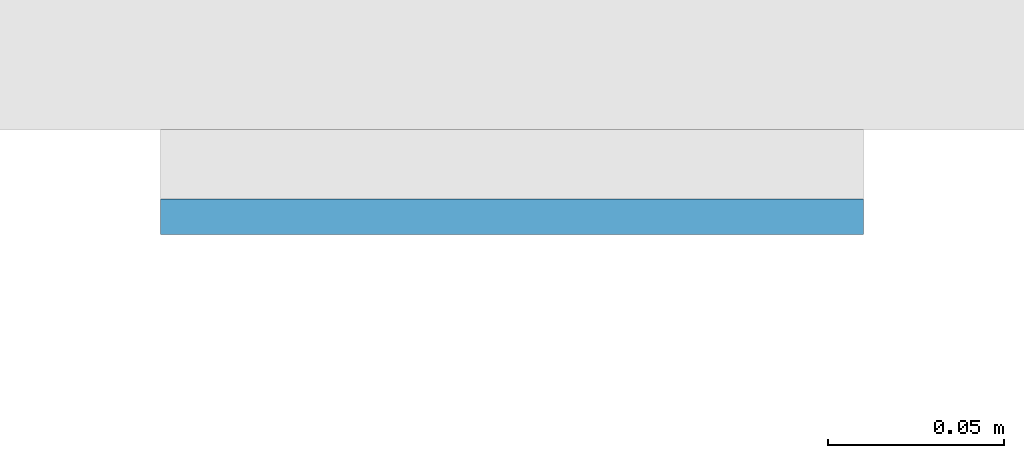
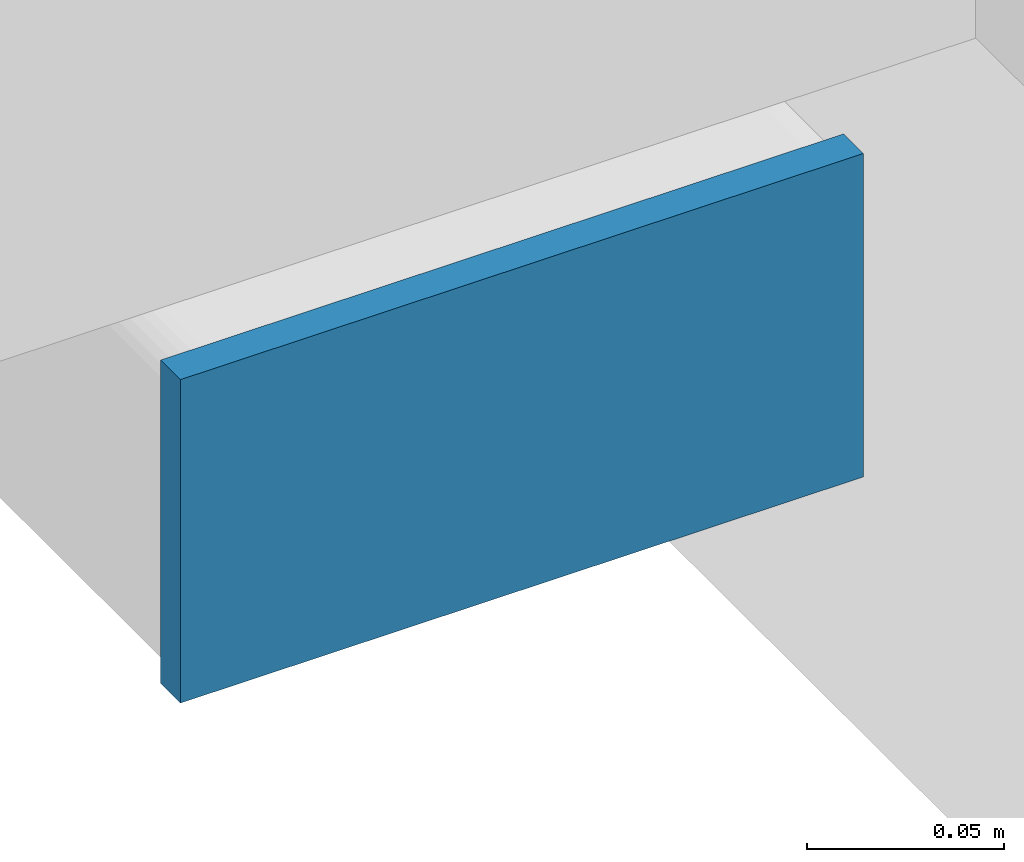
# One storey, part 8 of 20: 1 plate.
"""IFC4 building model written with IfcOpenShell, lengths in metres."""

import ifcopenshell
import ifcopenshell.guid

model = None  # the IFC model being written
_history = None  # IfcOwnerHistory: only IFC2X3 demands one
_inside = {}  # id of a spatial element -> (the spatial element, [elements in it])
_under = {}  # id of a project, library or spatial element -> (it, [spatial elements below it])
_declared = {}  # id of a project -> (the project, [libraries it declares])
_typed = {}  # id of a type object -> (the type object, [elements of that type])
_made_of = {}  # id of a material, layer set ... -> (it, [elements and type objects made of it])


def new_model(schema):
    """Start an empty IFC model of exactly this schema.

    Asked for "IFC4X3", IfcOpenShell would pick the latest addendum, in which some entities
    have other attributes; the version numbers below select the first issue.
    IFC2X3 requires an IfcOwnerHistory on every rooted entity: one is made here for all.
    """
    global model, _history
    if schema == "IFC4X3":
        model = ifcopenshell.file(schema_version=(4, 3, 0, 0))
    else:
        model = ifcopenshell.file(schema=schema)
    _inside.clear()
    _under.clear()
    _declared.clear()
    _typed.clear()
    _made_of.clear()
    _history = None
    if model.schema == "IFC2X3":
        org = make("IfcOrganization", Name="unknown")
        user = make(
            "IfcPersonAndOrganization",
            ThePerson=make("IfcPerson", FamilyName="unknown"),
            TheOrganization=org,
        )
        app = make(
            "IfcApplication",
            ApplicationDeveloper=org,
            Version="unknown",
            ApplicationFullName="unknown",
            ApplicationIdentifier="unknown",
        )
        _history = make(
            "IfcOwnerHistory",
            OwningUser=user,
            OwningApplication=app,
            ChangeAction="ADDED",
            CreationDate=0,
        )
    return model


def make(cls, **values):
    """One entity of the class cls with the attributes given. An attribute that is None is left unset."""
    return model.create_entity(
        cls, **{name: value for name, value in values.items() if value is not None}
    )


def rooted(cls, **values):
    """An entity with a GlobalId (a new one), such as an element, a storey or a relation."""
    return make(cls, GlobalId=ifcopenshell.guid.new(), OwnerHistory=_history, **values)


def si_unit(unit_type, name, prefix=None):
    """IfcSIUnit, for example si_unit("LENGTHUNIT", "METRE", prefix="MILLI")."""
    return make("IfcSIUnit", UnitType=unit_type, Prefix=prefix, Name=name)


def assignment(units):
    """IfcUnitAssignment: the units of a project."""
    return None if units is None else make("IfcUnitAssignment", Units=units)


def point(xyz):
    """IfcCartesianPoint."""
    return None if xyz is None else make("IfcCartesianPoint", Coordinates=xyz)


def direction(xyz):
    """IfcDirection."""
    return None if xyz is None else make("IfcDirection", DirectionRatios=xyz)


def frame(location, z_axis=None, x_axis=None):
    """IfcAxis2Placement3D, a coordinate frame: its origin and axes. An axis left out is left unset."""
    return make(
        "IfcAxis2Placement3D",
        Location=point(location),
        Axis=direction(z_axis),
        RefDirection=direction(x_axis),
    )


def frame_2d(location, x_axis=None):
    """IfcAxis2Placement2D, a coordinate frame in the plane: its origin and x axis."""
    return make(
        "IfcAxis2Placement2D", Location=point(location), RefDirection=direction(x_axis)
    )


def origin():
    """The frame at (0, 0, 0) with its axes left unset."""
    return frame((0.0, 0.0, 0.0))


def origin_2d():
    """The frame at (0, 0) in the plane with its x axis left unset."""
    return frame_2d((0.0, 0.0))


def place(relative_to, where):
    """IfcLocalPlacement: puts the frame where relative to a parent placement (None: the world)."""
    return make(
        "IfcLocalPlacement", PlacementRelTo=relative_to, RelativePlacement=where
    )


def context(
    kind, dimensions, precision=None, world=None, true_north=None, identifier=None
):
    """IfcGeometricRepresentationContext, for example the 3D "Model" context."""
    return make(
        "IfcGeometricRepresentationContext",
        ContextIdentifier=identifier,
        ContextType=kind,
        CoordinateSpaceDimension=dimensions,
        Precision=precision,
        WorldCoordinateSystem=world,
        TrueNorth=true_north,
    )


def subcontext(parent, identifier, kind, view, scale=None):
    """IfcGeometricRepresentationSubContext, for example "Body" below "Model"."""
    return make(
        "IfcGeometricRepresentationSubContext",
        ContextIdentifier=identifier,
        ContextType=kind,
        ParentContext=parent,
        TargetScale=scale,
        TargetView=view,
    )


def project(units=None, contexts=None):
    """IfcProject with its units and contexts."""
    return rooted(
        "IfcProject",
        Name="project",
        RepresentationContexts=contexts,
        UnitsInContext=assignment(units),
    )


def spatial(cls, under=None, at=None, **own):
    """A site, building, storey or space (cls), placed at a placement, below another one or the project."""
    s = rooted(cls, ObjectPlacement=at, **own)
    if under is not None:
        _under.setdefault(under.id(), (under, []))[1].append(s)
    return s


def profile(cls, at=None, kind="AREA", **sizes):
    """A parametric profile (cls). Its sizes go by their IFC names, for example OverallWidth=200.0."""
    return make(cls, ProfileType=kind, Position=at, **sizes)


def rectangle(**sizes):
    """IfcRectangleProfileDef."""
    return profile("IfcRectangleProfileDef", **sizes)


def extrude(swept, where, along, depth):
    """IfcExtrudedAreaSolid: the profile swept, set in the frame where, extruded along a direction by depth."""
    return make(
        "IfcExtrudedAreaSolid",
        SweptArea=swept,
        Position=where,
        ExtrudedDirection=direction(along),
        Depth=depth,
    )


def shape(context_of_items, identifier, shape_type, items):
    """IfcShapeRepresentation: the items that make up one representation, for example the "Body"."""
    return make(
        "IfcShapeRepresentation",
        ContextOfItems=context_of_items,
        RepresentationIdentifier=identifier,
        RepresentationType=shape_type,
        Items=items,
    )


def material(Name=None, Category=None):
    """IfcMaterial."""
    return make("IfcMaterial", Name=Name, Category=Category)


def layer(
    of_material, thickness, ventilated=None, Name=None, Category=None, Priority=None
):
    """IfcMaterialLayer: one layer of a wall or slab, of a material (None: an air gap)."""
    return make(
        "IfcMaterialLayer",
        Material=of_material,
        LayerThickness=thickness,
        IsVentilated=ventilated,
        Name=Name,
        Category=Category,
        Priority=Priority,
    )


def layer_set(layers, Name=None):
    """IfcMaterialLayerSet."""
    return make("IfcMaterialLayerSet", MaterialLayers=layers, LayerSetName=Name)


def made_of(thing, what):
    """Note that an element or type object is made of a material, layer set ...; save() writes the relation."""
    if what is not None:
        _made_of.setdefault(what.id(), (what, []))[1].append(thing)
    return thing


def type_object(cls, material=None, **own):
    """A type object (cls), such as IfcWallType, which elements share."""
    return made_of(rooted(cls, **own), material)


def element(
    cls,
    number,
    at=None,
    inside=None,
    cuts=None,
    type_object=None,
    material=None,
    context=None,
    identifier="Body",
    shape_type=None,
    held_by="IfcProductDefinitionShape",
    body=None,
    shapes=None,
    **own,
):
    """One element of the class cls, such as IfcWall. Its Tag is "e" and its number.

    at: its placement. inside: the storey or other place that contains it. cuts: it is an
    opening in that element (IfcRelVoidsElement). A single representation is given by context,
    identifier, shape_type and body (its items); several are given by shapes. held_by: the class
    of the entity that holds the representations. save() writes the other relations.
    """
    e = rooted(cls, Tag="e%d" % number, ObjectPlacement=at, **own)
    if body is not None:
        shapes = [shape(context, identifier, shape_type, body)]
    if shapes is not None:
        e.Representation = make(held_by, Representations=shapes)
    if inside is not None:
        _inside.setdefault(inside.id(), (inside, []))[1].append(e)
    if cuts is not None:
        rooted(
            "IfcRelVoidsElement", RelatingBuildingElement=cuts, RelatedOpeningElement=e
        )
    if type_object is not None:
        _typed.setdefault(type_object.id(), (type_object, []))[1].append(e)
    return made_of(e, material)


def aggregate(whole, parts):
    """IfcRelAggregates: a whole, such as a stair, and the parts it consists of."""
    return rooted("IfcRelAggregates", RelatingObject=whole, RelatedObjects=parts)


def save(model, path):
    """Write the relations noted so far, then the file.

    IfcRelAggregates (storeys below a building ...), IfcRelContainedInSpatialStructure (elements
    in a storey), IfcRelDefinesByType, IfcRelAssociatesMaterial and IfcRelDeclares: one each for
    every whole, place, type object, material and project.
    """
    for whole, parts in _under.values():
        aggregate(whole, parts)
    for where, things in _inside.values():
        rooted(
            "IfcRelContainedInSpatialStructure",
            RelatedElements=things,
            RelatingStructure=where,
        )
    for kind, things in _typed.values():
        rooted("IfcRelDefinesByType", RelatedObjects=things, RelatingType=kind)
    for what, things in _made_of.values():
        rooted("IfcRelAssociatesMaterial", RelatedObjects=things, RelatingMaterial=what)
    for by, libraries in _declared.values():
        rooted("IfcRelDeclares", RelatingContext=by, RelatedDefinitions=libraries)
    model.write(path)


model = new_model("IFC4")

# Units and contexts
model_context = context("Model", 3, precision=1e-05, world=origin(), true_north=direction((0.0, 1.0)))
body_context = subcontext(model_context, "Body", "Model", "MODEL_VIEW")
ifc_project = project(units=[si_unit("LENGTHUNIT", "METRE"), si_unit("AREAUNIT", "SQUARE_METRE"), si_unit("VOLUMEUNIT", "CUBIC_METRE"), si_unit("PLANEANGLEUNIT", "RADIAN"), si_unit("MASSUNIT", "GRAM", prefix="KILO")], contexts=[model_context])

# Site, building, storey
site_placement = place(None, origin())
site = spatial("IfcSite", under=ifc_project, at=site_placement, CompositionType="ELEMENT")
building_placement = place(site_placement, origin())
building = spatial("IfcBuilding", under=site, at=building_placement, Name="Cleftline Residences", CompositionType="ELEMENT")
storey_placement = place(building_placement, frame((0.0, 0.0, 47.60009765625)))
storey = spatial("IfcBuildingStorey", under=building, at=storey_placement, Name="L11", CompositionType="ELEMENT", Elevation=47.60009765625)

# Plate
ifc_material = material(Name="Steel S355, hot-dip galvanised", Category="steel")
ifc_layer = layer(ifc_material, 0.010009765625)
ifc_layer_set = layer_set([ifc_layer], Name="BAGUETTE CARRIER END PLATE 200X100X10")
plate_type = type_object("IfcPlateType", Name="BAGUETTE CARRIER END PLATE 200X100X10", PredefinedType="USERDEFINED", material=ifc_layer_set)
plate_placement = place(storey_placement, frame((-0.85009765625, 3.695068359375, -0.10009765625), z_axis=(0.0, 0.0, 1.0), x_axis=(-1.0, 0.0, 0.0)))
element("IfcPlate", 1, at=plate_placement, inside=storey, type_object=plate_type, Name="Baguette carrier end plate", ObjectType="BAGUETTE CARRIER END PLATE", PredefinedType="USERDEFINED", context=body_context, shape_type="SweptSolid", body=[
    extrude(rectangle(XDim=0.199951171875, YDim=0.010009765625, at=origin_2d()), origin(), (0.0, 0.0, 1.0), 0.10009765625),
])

save(model, "model.ifc")
